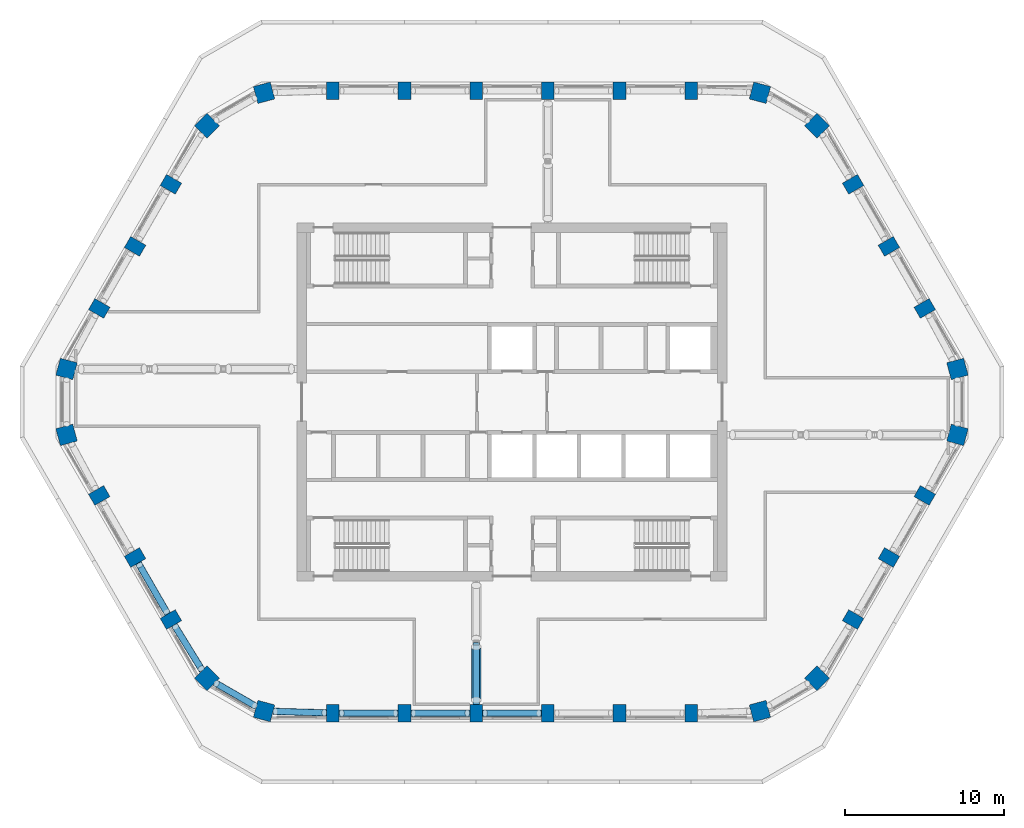
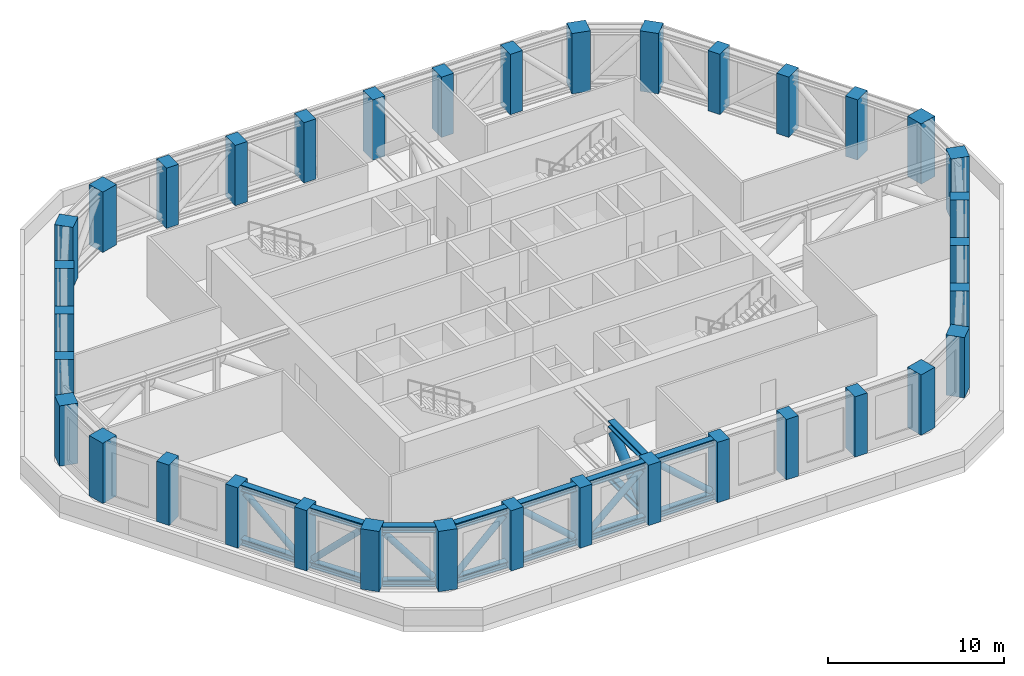
# One storey, part 1 of 15: 36 columns, 16 beams, 8 members.
"""IFC4 building model written with IfcOpenShell, lengths in metres."""

from ifc_helpers import new_model, si_unit, direction, frame, origin, origin_2d, place, context, subcontext, project, spatial, rectangle, hollow_circle, i_section, extrude, material, material_profile, profile_set, type_object, element, save


model = new_model("IFC4")

# Units and contexts
model_context = context("Model", 3, precision=1e-05, world=origin(), true_north=direction((0.0, 1.0)))
body_context = subcontext(model_context, "Body", "Model", "MODEL_VIEW")
ifc_project = project(units=[si_unit("LENGTHUNIT", "METRE"), si_unit("AREAUNIT", "SQUARE_METRE"), si_unit("VOLUMEUNIT", "CUBIC_METRE"), si_unit("PLANEANGLEUNIT", "RADIAN"), si_unit("MASSUNIT", "GRAM", prefix="KILO")], contexts=[model_context])

# Site, building, storey
site_placement = place(None, origin())
site = spatial("IfcSite", under=ifc_project, at=site_placement, CompositionType="ELEMENT")
building_placement = place(site_placement, origin())
building = spatial("IfcBuilding", under=site, at=building_placement, Name="Dhurran Vertical Campus", CompositionType="ELEMENT")
storey_placement = place(building_placement, frame((0.0, 0.0, 230.699951171875)))
storey = spatial("IfcBuildingStorey", under=building, at=storey_placement, Name="L57 Plant", CompositionType="ELEMENT", Elevation=230.699951171875)

# Columns
ifc_material_1 = material(Name="Concrete C50/60", Category="concrete")
ifc_material_profile_1 = material_profile(ifc_material_1, rectangle(XDim=1.10009765625, YDim=1.10009765625, at=origin_2d()), Name="RC 1100x1100")
ifc_profile_set_1 = profile_set([ifc_material_profile_1], Name="Concrete C50/60")
column_type_1 = type_object("IfcColumnType", Name="FR COL RC 1100x1100 C50/60", PredefinedType="COLUMN", material=ifc_profile_set_1)
for number, where, z_axis, x_axis, name in (
    (1, (-15.569580078125, -19.414794921875, 0.0), (0.0, 0.0, 1.0), (0.965925826289, -0.258819045103, 0.0), "Perimeter pier PP4.00"),
    (2, (15.569580078125, -19.414794921875, 0.0), (0.0, 0.0, 1.0), (0.965925826289, 0.258819045103, 0.0), "Perimeter pier PP4.07"),
    (3, (19.154052734375, -17.34521484375, 0.0), (0.0, 0.0, 1.0), (0.707106781187, 0.707106781187, 0.0), "Perimeter pier PP4.08"),
    (4, (27.973388671875, -2.069580078125, 0.0), (0.0, 0.0, 1.0), (0.258819045103, 0.965925826289, 0.0), "Perimeter pier PP4.12"),
    (5, (27.973388671875, 2.069580078125, 0.0), (0.0, 0.0, 1.0), (-0.258819045103, 0.965925826289, 0.0), "Perimeter pier PP4.13"),
    (6, (19.154052734375, 17.34521484375, 0.0), (0.0, 0.0, 1.0), (-0.707106781187, 0.707106781187, 0.0), "Perimeter pier PP4.17"),
    (7, (15.569580078125, 19.414794921875, 0.0), (0.0, 0.0, 1.0), (-0.965925826289, 0.258819045103, 0.0), "Perimeter pier PP4.18"),
    (8, (-15.569580078125, 19.414794921875, 0.0), (0.0, 0.0, 1.0), (-0.965925826289, -0.258819045103, 0.0), "Perimeter pier PP4.25"),
    (9, (-19.154052734375, 17.34521484375, 0.0), (0.0, 0.0, 1.0), (-0.707106781187, -0.707106781187, 0.0), "Perimeter pier PP4.26"),
    (10, (-27.973388671875, 2.069580078125, 0.0), (0.0, 0.0, 1.0), (-0.258819045103, -0.965925826289, 0.0), "Perimeter pier PP4.30"),
    (11, (-27.973388671875, -2.069580078125, 0.0), (0.0, 0.0, 1.0), (0.258819045103, -0.965925826289, 0.0), "Perimeter pier PP4.31"),
    (12, (-19.154052734375, -17.34521484375, 0.0), (0.0, 0.0, 1.0), (0.707106781187, -0.707106781187, 0.0), "Perimeter pier PP4.35"),
):
    element("IfcColumn", number, at=place(storey_placement, frame(where, z_axis=z_axis, x_axis=x_axis)), inside=storey, type_object=column_type_1, Name=name, PredefinedType="COLUMN", context=body_context, shape_type="SweptSolid", body=[
        extrude(rectangle(XDim=1.10009765625, YDim=1.10009765625, at=origin_2d()), origin(), (0.0, 0.0, 1.0), 4.175048828125),
    ])
ifc_material_2 = material(Name="Concrete C50/60", Category="concrete")
ifc_material_profile_2 = material_profile(ifc_material_2, rectangle(XDim=0.800048828125, YDim=1.10009765625, at=origin_2d()), Name="RC 800x1100")
ifc_profile_set_2 = profile_set([ifc_material_profile_2], Name="Concrete C50/60")
column_type_2 = type_object("IfcColumnType", Name="FR COL RC 800x1100 C50/60", PredefinedType="COLUMN", material=ifc_profile_set_2)
for number, where, z_axis, x_axis, name in (
    (13, (-11.25, -19.53857421875, 0.0), (0.0, 0.0, 1.0), (1.0, 0.0, 0.0), "Perimeter pier PP4.01"),
    (14, (-6.75, -19.53857421875, 0.0), (0.0, 0.0, 1.0), (1.0, 0.0, 0.0), "Perimeter pier PP4.02"),
    (15, (-2.25, -19.53857421875, 0.0), (0.0, 0.0, 1.0), (1.0, 0.0, 0.0), "Perimeter pier PP4.03"),
    (16, (2.25, -19.53857421875, 0.0), (0.0, 0.0, 1.0), (1.0, 0.0, 0.0), "Perimeter pier PP4.04"),
    (17, (6.75, -19.53857421875, 0.0), (0.0, 0.0, 1.0), (1.0, 0.0, 0.0), "Perimeter pier PP4.05"),
    (18, (11.25, -19.53857421875, 0.0), (0.0, 0.0, 1.0), (1.0, 0.0, 0.0), "Perimeter pier PP4.06"),
    (19, (21.4208984375, -13.666259765625, 0.0), (0.0, 0.0, 1.0), (0.5, 0.866025403784, 0.0), "Perimeter pier PP4.09"),
    (20, (23.6708984375, -9.769287109375, 0.0), (0.0, 0.0, 1.0), (0.5, 0.866025403784, 0.0), "Perimeter pier PP4.10"),
    (21, (25.9208984375, -5.8720703125, 0.0), (0.0, 0.0, 1.0), (0.5, 0.866025403784, 0.0), "Perimeter pier PP4.11"),
    (22, (25.9208984375, 5.8720703125, 0.0), (0.0, 0.0, 1.0), (-0.5, 0.866025403784, 0.0), "Perimeter pier PP4.14"),
    (23, (23.6708984375, 9.769287109375, 0.0), (0.0, 0.0, 1.0), (-0.5, 0.866025403784, 0.0), "Perimeter pier PP4.15"),
    (24, (21.4208984375, 13.666259765625, 0.0), (0.0, 0.0, 1.0), (-0.5, 0.866025403784, 0.0), "Perimeter pier PP4.16"),
    (25, (11.25, 19.53857421875, 0.0), (0.0, 0.0, 1.0), (-1.0, 0.0, 0.0), "Perimeter pier PP4.19"),
    (26, (6.75, 19.53857421875, 0.0), (0.0, 0.0, 1.0), (-1.0, 0.0, 0.0), "Perimeter pier PP4.20"),
    (27, (2.25, 19.53857421875, 0.0), (0.0, 0.0, 1.0), (-1.0, 0.0, 0.0), "Perimeter pier PP4.21"),
    (28, (-2.25, 19.53857421875, 0.0), (0.0, 0.0, 1.0), (-1.0, 0.0, 0.0), "Perimeter pier PP4.22"),
    (29, (-6.75, 19.53857421875, 0.0), (0.0, 0.0, 1.0), (-1.0, 0.0, 0.0), "Perimeter pier PP4.23"),
    (30, (-11.25, 19.53857421875, 0.0), (0.0, 0.0, 1.0), (-1.0, 0.0, 0.0), "Perimeter pier PP4.24"),
    (31, (-21.4208984375, 13.666259765625, 0.0), (0.0, 0.0, 1.0), (-0.5, -0.866025403784, 0.0), "Perimeter pier PP4.27"),
    (32, (-23.6708984375, 9.769287109375, 0.0), (0.0, 0.0, 1.0), (-0.5, -0.866025403784, 0.0), "Perimeter pier PP4.28"),
    (33, (-25.9208984375, 5.8720703125, 0.0), (0.0, 0.0, 1.0), (-0.5, -0.866025403784, 0.0), "Perimeter pier PP4.29"),
    (34, (-25.9208984375, -5.8720703125, 0.0), (0.0, 0.0, 1.0), (0.5, -0.866025403784, 0.0), "Perimeter pier PP4.32"),
    (35, (-23.6708984375, -9.769287109375, 0.0), (0.0, 0.0, 1.0), (0.5, -0.866025403784, 0.0), "Perimeter pier PP4.33"),
    (36, (-21.4208984375, -13.666259765625, 0.0), (0.0, 0.0, 1.0), (0.5, -0.866025403784, 0.0), "Perimeter pier PP4.34"),
):
    element("IfcColumn", number, at=place(storey_placement, frame(where, z_axis=z_axis, x_axis=x_axis)), inside=storey, type_object=column_type_2, Name=name, PredefinedType="COLUMN", context=body_context, shape_type="SweptSolid", body=[
        extrude(rectangle(XDim=0.800048828125, YDim=1.10009765625, at=origin_2d()), origin(), (0.0, 0.0, 1.0), 4.175048828125),
    ])

# Beams
ifc_material_3 = material(Name="Steel ASTM A992", Category="steel")
ifc_material_profile_3 = material_profile(ifc_material_3, i_section(OverallWidth=0.412109375, OverallDepth=0.43505859375, WebThickness=0.035888671875, FlangeThickness=0.057373046875, at=origin_2d()), Name="W360x463")
ifc_profile_set_3 = profile_set([ifc_material_profile_3], Name="Steel ASTM A992")
beam_type_1 = type_object("IfcBeamType", Name="FR BELT CHORD W360x463", PredefinedType="BEAM", material=ifc_profile_set_3)
for number, where, z_axis, x_axis, name in (
    (37, (-15.00439453125, -19.430908203125, 0.217529296875), (0.999589114089, -0.028663617973, 0.0), (0.028663617973, 0.999589114089, 0.0), "Belt truss chord L57"),
    (38, (-15.00439453125, -19.430908203125, 3.95751953125), (0.999589114089, -0.028663617973, 0.0), (0.028663617973, 0.999589114089, 0.0), "Belt truss chord L57"),
):
    element("IfcBeam", number, at=place(storey_placement, frame(where, z_axis=z_axis, x_axis=x_axis)), inside=storey, type_object=beam_type_1, Name=name, PredefinedType="BEAM", context=body_context, shape_type="SweptSolid", body=[
        extrude(i_section(OverallWidth=0.412109375, OverallDepth=0.43505859375, WebThickness=0.035888671875, FlangeThickness=0.057373046875, at=origin_2d()), origin(), (0.0, 0.0, 1.0), 3.35595703125),
    ])
for number, where, z_axis, x_axis, name in (
    (39, (-10.85009765625, -19.53857421875, 0.217529296875), (1.0, 0.0, 0.0), (0.0, 1.0, 0.0), "Belt truss chord L57"),
    (40, (-10.85009765625, -19.53857421875, 3.95751953125), (1.0, 0.0, 0.0), (0.0, 1.0, 0.0), "Belt truss chord L57"),
    (41, (-6.35009765625, -19.53857421875, 0.217529296875), (1.0, 0.0, 0.0), (0.0, 1.0, 0.0), "Belt truss chord L57"),
    (42, (-6.35009765625, -19.53857421875, 3.95751953125), (1.0, 0.0, 0.0), (0.0, 1.0, 0.0), "Belt truss chord L57"),
    (43, (-1.85009765625, -19.53857421875, 0.217529296875), (1.0, 0.0, 0.0), (0.0, 1.0, 0.0), "Belt truss chord L57"),
    (44, (-1.85009765625, -19.53857421875, 3.95751953125), (1.0, 0.0, 0.0), (0.0, 1.0, 0.0), "Belt truss chord L57"),
):
    element("IfcBeam", number, at=place(storey_placement, frame(where, z_axis=z_axis, x_axis=x_axis)), inside=storey, type_object=beam_type_1, Name=name, PredefinedType="BEAM", context=body_context, shape_type="SweptSolid", body=[
        extrude(i_section(OverallWidth=0.412109375, OverallDepth=0.43505859375, WebThickness=0.035888671875, FlangeThickness=0.057373046875, at=origin_2d()), origin(), (0.0, 0.0, 1.0), 3.7001953125),
    ])
for number, where, z_axis, x_axis, name in (
    (45, (-23.470703125, -10.115478515625, 0.217529296875), (0.499964254978, -0.866046040199, 0.0), (0.866046040199, 0.499964254978, 0.0), "Belt truss chord L57"),
    (46, (-23.470703125, -10.115478515625, 3.95751953125), (0.499964254978, -0.866046040199, 0.0), (0.866046040199, 0.499964254978, 0.0), "Belt truss chord L57"),
):
    element("IfcBeam", number, at=place(storey_placement, frame(where, z_axis=z_axis, x_axis=x_axis)), inside=storey, type_object=beam_type_1, Name=name, PredefinedType="BEAM", context=body_context, shape_type="SweptSolid", body=[
        extrude(i_section(OverallWidth=0.412109375, OverallDepth=0.43505859375, WebThickness=0.035888671875, FlangeThickness=0.057373046875, at=origin_2d()), origin(), (0.0, 0.0, 1.0), 3.699951171875),
    ])
for number, where, z_axis, x_axis, name in (
    (47, (-21.2109375, -14.007080078125, 0.217529296875), (0.524612836657, -0.851340925608, 0.0), (0.851340925608, 0.524612836657, 0.0), "Belt truss chord L57"),
    (48, (-21.2109375, -14.007080078125, 3.95751953125), (0.524612836657, -0.851340925608, 0.0), (0.851340925608, 0.524612836657, 0.0), "Belt truss chord L57"),
):
    element("IfcBeam", number, at=place(storey_placement, frame(where, z_axis=z_axis, x_axis=x_axis)), inside=storey, type_object=beam_type_1, Name=name, PredefinedType="BEAM", context=body_context, shape_type="SweptSolid", body=[
        extrude(i_section(OverallWidth=0.412109375, OverallDepth=0.43505859375, WebThickness=0.035888671875, FlangeThickness=0.057373046875, at=origin_2d()), origin(), (0.0, 0.0, 1.0), 3.355712890625),
    ])
for number, where, z_axis, x_axis, name in (
    (49, (-18.660888671875, -17.6298828125, 0.217529296875), (0.866016204555, -0.500015933195, 0.0), (0.500015933195, 0.866016204555, 0.0), "Belt truss chord L57"),
    (50, (-18.660888671875, -17.6298828125, 3.95751953125), (0.866016204555, -0.500015933195, 0.0), (0.500015933195, 0.866016204555, 0.0), "Belt truss chord L57"),
):
    element("IfcBeam", number, at=place(storey_placement, frame(where, z_axis=z_axis, x_axis=x_axis)), inside=storey, type_object=beam_type_1, Name=name, PredefinedType="BEAM", context=body_context, shape_type="SweptSolid", body=[
        extrude(i_section(OverallWidth=0.412109375, OverallDepth=0.43505859375, WebThickness=0.035888671875, FlangeThickness=0.057373046875, at=origin_2d()), origin(), (0.0, 0.0, 1.0), 3.00048828125),
    ])

# Members
ifc_material_4 = material(Name="Steel S355J2H", Category="steel")
ifc_material_profile_4 = material_profile(ifc_material_4, hollow_circle(Radius=0.203125, WallThickness=0.01611328125, at=origin_2d()), Name="CHS406.4x16")
ifc_profile_set_4 = profile_set([ifc_material_profile_4], Name="Steel S355J2H")
member_type_1 = type_object("IfcMemberType", Name="FR BELT DIAGONAL CHS406.4x16", PredefinedType="BRACE", material=ifc_profile_set_4)
member_1_placement = place(storey_placement, frame((-14.857421875, -19.435302734375, 0.579833984375), z_axis=(0.71219609835, -0.020338720741, 0.701685865565), x_axis=(0.028546115717, 0.999592476601, 0.0)))
element("IfcMember", 51, at=member_1_placement, inside=storey, type_object=member_type_1, Name="Belt truss diagonal L57", PredefinedType="BRACE", context=body_context, shape_type="SweptSolid", body=[
    extrude(hollow_circle(Radius=0.203125, WallThickness=0.01611328125, at=origin_2d()), origin(), (0.0, 0.0, 1.0), 4.29736328125),
])
for number, where, z_axis, x_axis, name in (
    (52, (-7.319580078125, -19.53857421875, 0.586669921875), (-0.745804991219, 0.0, 0.666164330381), (0.0, -1.0, 0.0), "Belt truss diagonal L57"),
    (53, (-6.180419921875, -19.53857421875, 0.586669921875), (0.745804991219, 0.0, 0.666164330381), (0.0, 1.0, 0.0), "Belt truss diagonal L57"),
    (54, (1.680419921875, -19.53857421875, 0.586669921875), (-0.745804991219, 0.0, 0.666164330381), (0.0, -1.0, 0.0), "Belt truss diagonal L57"),
    (55, (-21.70556640625, -13.173095703125, 0.586669921875), (-0.372898655487, 0.645895361138, 0.66615747027), (-0.866030748172, -0.499990743136, 0.0), "Belt truss diagonal L57"),
):
    element("IfcMember", number, at=place(storey_placement, frame(where, z_axis=z_axis, x_axis=x_axis)), inside=storey, type_object=member_type_1, Name=name, PredefinedType="BRACE", context=body_context, shape_type="SweptSolid", body=[
        extrude(hollow_circle(Radius=0.203125, WallThickness=0.01611328125, at=origin_2d()), origin(), (0.0, 0.0, 1.0), 4.50634765625),
    ])
member_2_placement = place(storey_placement, frame((-21.1337890625, -14.132080078125, 0.579833984375), z_axis=(0.373752449697, -0.606616303066, 0.70165929567), x_axis=(0.851376223454, 0.524555551049, 0.0)))
element("IfcMember", 56, at=member_2_placement, inside=storey, type_object=member_type_1, Name="Belt truss diagonal L57", PredefinedType="BRACE", context=body_context, shape_type="SweptSolid", body=[
    extrude(hollow_circle(Radius=0.203125, WallThickness=0.01611328125, at=origin_2d()), origin(), (0.0, 0.0, 1.0), 4.297607421875),
])
member_3_placement = place(storey_placement, frame((-16.169921875, -19.068115234375, 0.571533203125), z_axis=(-0.582076792351, 0.336081827152, 0.740429343871), x_axis=(-0.500021908856, -0.866012754331, 0.0)))
element("IfcMember", 57, at=member_3_placement, inside=storey, type_object=member_type_1, Name="Belt truss diagonal L57", PredefinedType="BRACE", context=body_context, shape_type="SweptSolid", body=[
    extrude(hollow_circle(Radius=0.203125, WallThickness=0.01611328125, at=origin_2d()), origin(), (0.0, 0.0, 1.0), 4.094970703125),
])

# Beams
ifc_material_5 = material(Name="Steel ASTM A992", Category="steel")
ifc_material_profile_5 = material_profile(ifc_material_5, i_section(OverallWidth=0.412109375, OverallDepth=0.43505859375, WebThickness=0.035888671875, FlangeThickness=0.057373046875, at=origin_2d()), Name="W360x463")
ifc_profile_set_5 = profile_set([ifc_material_profile_5], Name="Steel ASTM A992")
beam_type_2 = type_object("IfcBeamType", Name="FR OUTRIGGER CHORD W360x463", PredefinedType="BEAM", material=ifc_profile_set_5)
for number, where, z_axis, x_axis, name in (
    (58, (-2.25, -15.119140625, 0.217529296875), (0.0, -1.0, 0.0), (1.0, 0.0, 0.0), "Outrigger truss chord L57"),
    (59, (-2.25, -15.119140625, 3.95751953125), (0.0, -1.0, 0.0), (1.0, 0.0, 0.0), "Outrigger truss chord L57"),
):
    element("IfcBeam", number, at=place(storey_placement, frame(where, z_axis=z_axis, x_axis=x_axis)), inside=storey, type_object=beam_type_2, Name=name, PredefinedType="BEAM", context=body_context, shape_type="SweptSolid", body=[
        extrude(i_section(OverallWidth=0.412109375, OverallDepth=0.43505859375, WebThickness=0.035888671875, FlangeThickness=0.057373046875, at=origin_2d()), origin(), (0.0, 0.0, 1.0), 3.869384765625),
    ])

# Member
ifc_material_6 = material(Name="Steel S355J2H", Category="steel")
ifc_material_profile_6 = material_profile(ifc_material_6, hollow_circle(Radius=0.304931640625, WallThickness=0.02001953125, at=origin_2d()), Name="CHS610x20")
ifc_profile_set_6 = profile_set([ifc_material_profile_6], Name="Steel S355J2H")
member_type_2 = type_object("IfcMemberType", Name="FR OUTRIGGER DIAGONAL CHS610x20", PredefinedType="BRACE", material=ifc_profile_set_6)
member_4_placement = place(storey_placement, frame((-2.25, -18.717041015625, 0.6669921875), z_axis=(0.0, 0.760378271958, 0.649480472019), x_axis=(-1.0, 0.0, 0.0)))
element("IfcMember", 60, at=member_4_placement, inside=storey, type_object=member_type_2, Name="Outrigger truss diagonal L57", PredefinedType="BRACE", context=body_context, shape_type="SweptSolid", body=[
    extrude(hollow_circle(Radius=0.304931640625, WallThickness=0.02001953125, at=origin_2d()), origin(), (0.0, 0.0, 1.0), 4.374267578125),
])

save(model, "model.ifc")
